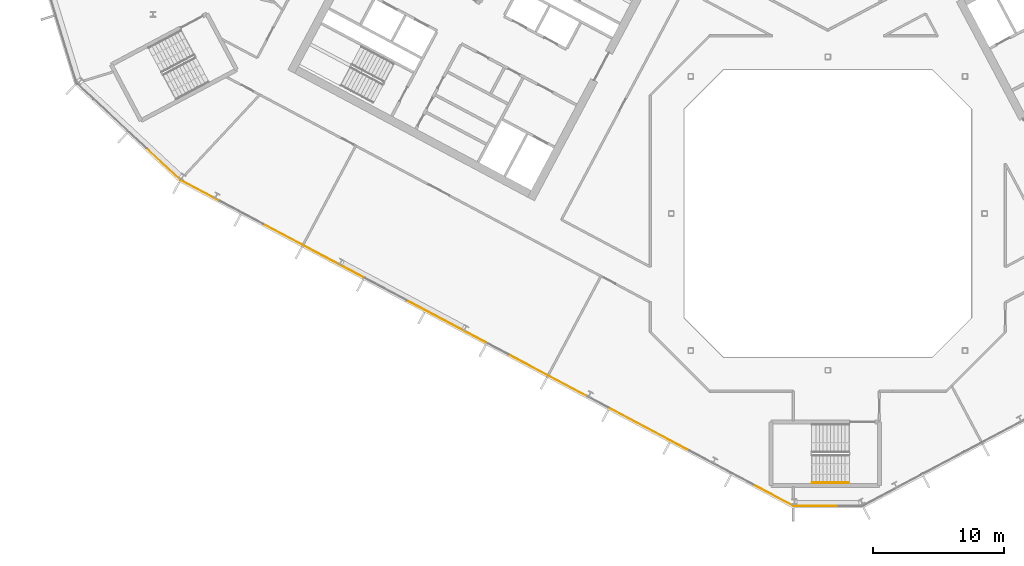
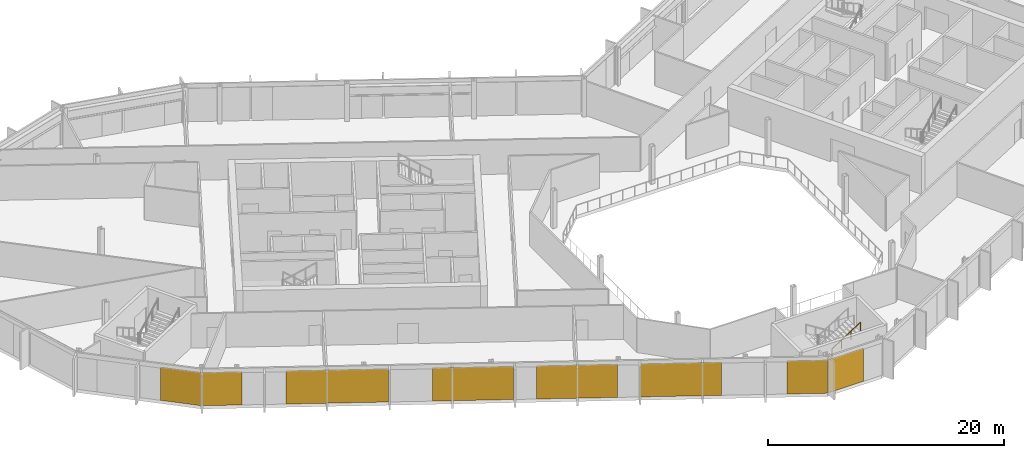
# One storey, part 18 of 26: 8 coverings, 1 railing, 3 elements without a shape of their own.
"""IFC4 building model written with IfcOpenShell, lengths in metres."""

from ifc_helpers import new_model, si_unit, direction, frame, origin, origin_2d, place, context, subcontext, project, spatial, polyline, rectangle, outline, extrude, material, layer, layer_set, type_object, element, aggregate, save


model = new_model("IFC4")

# Units and contexts
model_context = context("Model", 3, precision=1e-05, world=origin(), true_north=direction((0.0, 1.0)))
body_context = subcontext(model_context, "Body", "Model", "MODEL_VIEW")
ifc_project = project(units=[si_unit("LENGTHUNIT", "METRE"), si_unit("AREAUNIT", "SQUARE_METRE"), si_unit("VOLUMEUNIT", "CUBIC_METRE"), si_unit("PLANEANGLEUNIT", "RADIAN"), si_unit("MASSUNIT", "GRAM", prefix="KILO")], contexts=[model_context])

# Site, building, storey
site_placement = place(None, origin())
site = spatial("IfcSite", under=ifc_project, at=site_placement, CompositionType="ELEMENT")
building_placement = place(site_placement, origin())
building = spatial("IfcBuilding", under=site, at=building_placement, Name="Cormorant Relay Tower", CompositionType="ELEMENT")
storey_placement = place(building_placement, frame((0.0, 0.0, 244.199951171875)))
storey = spatial("IfcBuildingStorey", under=building, at=storey_placement, Name="L54", CompositionType="ELEMENT", Elevation=244.199951171875)

# Curtain wall, covering
ifc_material_1 = material(Name="Aluminium 6063-T6 anodised bronze", Category="aluminium")
ifc_layer_1 = layer(ifc_material_1, 0.199951171875)
ifc_layer_set_1 = layer_set([ifc_layer_1], Name="CW1 unitised bronze curtain wall with vertical fins")
curtain_wall_type = type_object("IfcCurtainWallType", Name="CW1 unitised bronze curtain wall with vertical fins", PredefinedType="NOTDEFINED", material=ifc_layer_set_1)
curtain_wall_1_placement = place(storey_placement, origin())
curtain_wall_1 = element("IfcCurtainWall", 1, at=curtain_wall_1_placement, inside=storey, type_object=curtain_wall_type, Name="CW1 curtain wall 1", PredefinedType="NOTDEFINED")
ifc_material_2 = material(Name="Pale bronze anodised aluminium insulated panel", Category="aluminium")
ifc_layer_2 = layer(ifc_material_2, 0.0400390625)
ifc_layer_set_2 = layer_set([ifc_layer_2], Name="CW1 pale bronze insulated panel 40")
covering_type = type_object("IfcCoveringType", Name="CW1 pale bronze insulated panel 40", PredefinedType="CLADDING", material=ifc_layer_set_2)
covering_1_placement = place(storey_placement, frame((-0.862548828125, -22.3955078125, 0.0), z_axis=(0.0, 0.0, 1.0), x_axis=(1.0, 0.0, 0.0)))
covering_1 = element("IfcCovering", 2, at=covering_1_placement, type_object=covering_type, Name="CW1 panel S00", PredefinedType="CLADDING", context=body_context, shape_type="SweptSolid", body=[
    extrude(rectangle(XDim=3.422607421875, YDim=0.0400390625, at=origin_2d()), origin(), (0.0, 0.0, 1.0), 3.449951171875),
])
aggregate(curtain_wall_1, [covering_1])

curtain_wall_2_placement = place(storey_placement, origin())
curtain_wall_2 = element("IfcCurtainWall", 3, at=curtain_wall_2_placement, inside=storey, type_object=curtain_wall_type, Name="CW1 curtain wall 15", PredefinedType="NOTDEFINED")
covering_2_placement = place(storey_placement, frame((-50.906982421875, 3.78369140625, 0.0), z_axis=(0.0, 0.0, 1.0), x_axis=(0.731353701619, -0.681998360062, 0.0)))
covering_2 = element("IfcCovering", 4, at=covering_2_placement, type_object=covering_type, Name="CW1 panel S03", PredefinedType="CLADDING", context=body_context, shape_type="SweptSolid", body=[
    extrude(rectangle(XDim=3.560302734375, YDim=0.0400390625, at=origin_2d()), origin(), (0.0, 0.0, 1.0), 3.449951171875),
])
aggregate(curtain_wall_2, [covering_2])

# Curtain wall, coverings
curtain_wall_3_placement = place(storey_placement, origin())
curtain_wall_3 = element("IfcCurtainWall", 5, at=curtain_wall_3_placement, inside=storey, type_object=curtain_wall_type, Name="CW1 curtain wall 16", PredefinedType="NOTDEFINED")
covering_3_placement = place(storey_placement, frame((-48.048583984375, 1.7412109375, 0.0), z_axis=(0.0, 0.0, 1.0), x_axis=(0.882947592859, -0.469471562786, 0.0)))
covering_3 = element("IfcCovering", 6, at=covering_3_placement, type_object=covering_type, Name="CW1 panel S00", PredefinedType="CLADDING", context=body_context, shape_type="SweptSolid", body=[
    extrude(rectangle(XDim=3.36669921875, YDim=0.0400390625, at=origin_2d()), origin(), (0.0, 0.0, 1.0), 3.449951171875),
])
covering_4_placement = place(storey_placement, frame((-39.417724609375, -2.847900390625, 0.0), z_axis=(0.0, 0.0, 1.0), x_axis=(0.882947592859, -0.469471562786, 0.0)))
covering_4 = element("IfcCovering", 7, at=covering_4_placement, type_object=covering_type, Name="CW1 panel S03", PredefinedType="CLADDING", context=body_context, shape_type="SweptSolid", body=[
    extrude(rectangle(XDim=8.68310546875, YDim=0.0400390625, at=origin_2d()), origin(), (0.0, 0.0, 1.0), 3.449951171875),
])
covering_5_placement = place(storey_placement, frame((-29.234619140625, -8.26220703125, 0.0), z_axis=(0.0, 0.0, 1.0), x_axis=(0.882947592859, -0.469471562786, 0.0)))
covering_5 = element("IfcCovering", 8, at=covering_5_placement, type_object=covering_type, Name="CW1 panel S05", PredefinedType="CLADDING", context=body_context, shape_type="SweptSolid", body=[
    extrude(rectangle(XDim=6.88330078125, YDim=0.0400390625, at=origin_2d()), origin(), (0.0, 0.0, 1.0), 3.449951171875),
])
covering_6_placement = place(storey_placement, frame((-21.435302734375, -12.4091796875, 0.0), z_axis=(0.0, 0.0, 1.0), x_axis=(0.882947592859, -0.469471562786, 0.0)))
covering_6 = element("IfcCovering", 9, at=covering_6_placement, type_object=covering_type, Name="CW1 panel S07", PredefinedType="CLADDING", context=body_context, shape_type="SweptSolid", body=[
    extrude(rectangle(XDim=6.88330078125, YDim=0.0400390625, at=origin_2d()), origin(), (0.0, 0.0, 1.0), 3.449951171875),
])
covering_7_placement = place(storey_placement, frame((-13.635986328125, -16.55615234375, 0.0), z_axis=(0.0, 0.0, 1.0), x_axis=(0.882947592859, -0.469471562786, 0.0)))
covering_7 = element("IfcCovering", 10, at=covering_7_placement, type_object=covering_type, Name="CW1 panel S09", PredefinedType="CLADDING", context=body_context, shape_type="SweptSolid", body=[
    extrude(rectangle(XDim=6.88330078125, YDim=0.0400390625, at=origin_2d()), origin(), (0.0, 0.0, 1.0), 3.449951171875),
])
covering_8_placement = place(storey_placement, frame((-4.177490234375, -21.58544921875, 0.0), z_axis=(0.0, 0.0, 1.0), x_axis=(0.882947592859, -0.469471562786, 0.0)))
covering_8 = element("IfcCovering", 11, at=covering_8_placement, type_object=covering_type, Name="CW1 panel S12", PredefinedType="CLADDING", context=body_context, shape_type="SweptSolid", body=[
    extrude(rectangle(XDim=3.441650390625, YDim=0.0400390625, at=origin_2d()), origin(), (0.0, 0.0, 1.0), 3.449951171875),
])
aggregate(curtain_wall_3, [covering_3, covering_4, covering_5, covering_6, covering_7, covering_8])

# Railing
ifc_material_3 = material(Name="Steel ASTM A572 Grade 50 (Fy 345 MPa)", Category="steel")
railing_type = type_object("IfcRailingType", Name="Stair handrail 900", PredefinedType="HANDRAIL", material=ifc_material_3)
railing_placement = place(storey_placement, frame((-1.199951171875, -20.625, 2.12744140625)))
element("IfcRailing", 12, at=railing_placement, inside=storey, type_object=railing_type, Name="L54 RK1 stair handrail 2", PredefinedType="HANDRAIL", context=body_context, shape_type="SweptSolid", body=[
    extrude(outline(polyline([(0.022216796875, 0.00927734375), (0.00927734375, 0.022216796875), (-0.00927734375, 0.022216796875), (-0.022216796875, 0.00927734375), (-0.022216796875, -0.00927734375), (-0.00927734375, -0.022216796875), (0.00927734375, -0.022216796875), (0.022216796875, -0.00927734375), (0.022216796875, 0.00927734375)])), frame((0.0, 0.0, 0.8759765625), z_axis=(0.844908973607, 0.0, 0.534910110503), x_axis=(0.0, 1.0, 0.0)), (0.0, 0.0, 1.0), 3.31396484375),
    extrude(outline(polyline([(0.019287109375, 0.008056640625), (0.008056640625, 0.019287109375), (-0.008056640625, 0.019287109375), (-0.019287109375, 0.008056640625), (-0.019287109375, -0.008056640625), (-0.008056640625, -0.019287109375), (0.008056640625, -0.019287109375), (0.019287109375, -0.008056640625), (0.019287109375, 0.008056640625)])), origin(), (0.0, 0.0, 1.0), 0.851806640625),
    extrude(outline(polyline([(0.019287109375, 0.008056640625), (0.008056640625, 0.019287109375), (-0.008056640625, 0.019287109375), (-0.019287109375, 0.008056640625), (-0.019287109375, -0.008056640625), (-0.008056640625, -0.019287109375), (0.008056640625, -0.019287109375), (0.019287109375, -0.008056640625), (0.019287109375, 0.008056640625)])), frame((0.933349609375, 0.0, 0.5908203125)), (0.0, 0.0, 1.0), 0.851806640625),
    extrude(outline(polyline([(0.019287109375, 0.008056640625), (0.008056640625, 0.019287109375), (-0.008056640625, 0.019287109375), (-0.019287109375, 0.008056640625), (-0.019287109375, -0.008056640625), (-0.008056640625, -0.019287109375), (0.008056640625, -0.019287109375), (0.019287109375, -0.008056640625), (0.019287109375, 0.008056640625)])), frame((1.86669921875, 0.0, 1.181884765625)), (0.0, 0.0, 1.0), 0.851806640625),
    extrude(outline(polyline([(0.019287109375, 0.008056640625), (0.008056640625, 0.019287109375), (-0.008056640625, 0.019287109375), (-0.019287109375, 0.008056640625), (-0.019287109375, -0.008056640625), (-0.008056640625, -0.019287109375), (0.008056640625, -0.019287109375), (0.019287109375, -0.008056640625), (0.019287109375, 0.008056640625)])), frame((2.800048828125, 0.0, 1.772705078125)), (0.0, 0.0, 1.0), 0.851806640625),
])

save(model, "model.ifc")
